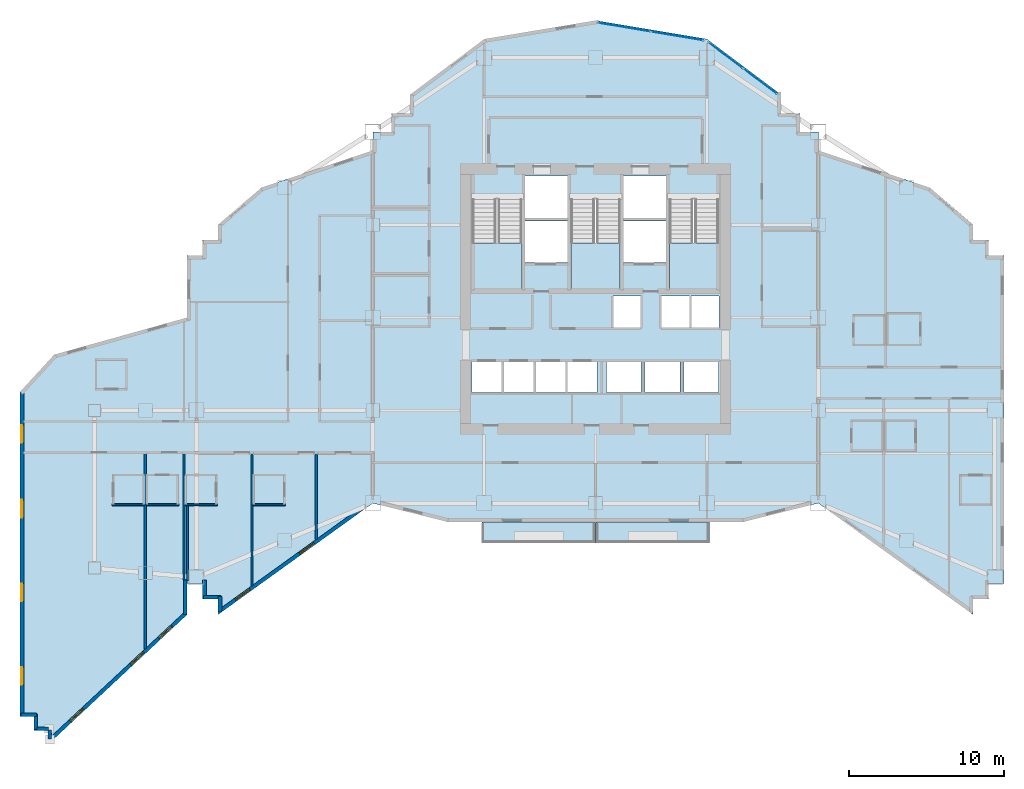
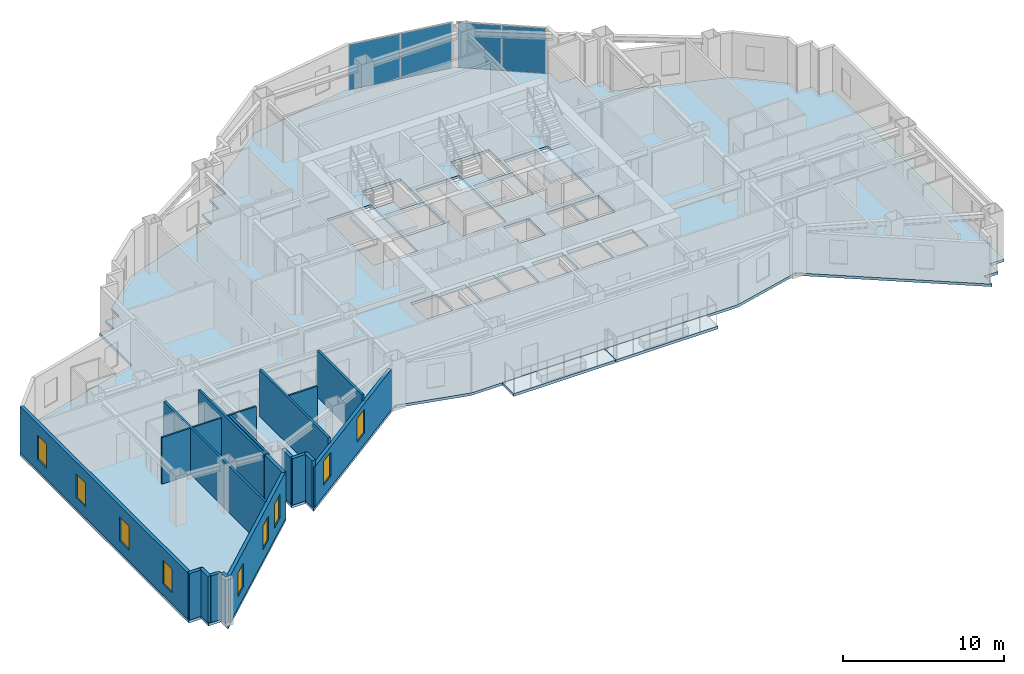
# One storey, part 6 of 14: 20 walls, 9 windows, 6 slabs, 4 plates, 9 openings, 5 elements without a shape of their own.
"""IFC4 building model written with IfcOpenShell, lengths in metres."""

from ifc_helpers import new_model, si_unit, direction, frame, frame_2d, origin, origin_2d, place, context, subcontext, project, spatial, polyline, rectangle, outline, extrude, material, layer, layer_set, type_object, element, fill, aggregate, save


model = new_model("IFC4")

# Units and contexts
model_context = context("Model", 3, precision=1e-05, world=origin(), true_north=direction((0.0, 1.0)))
body_context = subcontext(model_context, "Body", "Model", "MODEL_VIEW")
ifc_project = project(units=[si_unit("LENGTHUNIT", "METRE"), si_unit("AREAUNIT", "SQUARE_METRE"), si_unit("VOLUMEUNIT", "CUBIC_METRE"), si_unit("PLANEANGLEUNIT", "RADIAN"), si_unit("MASSUNIT", "GRAM", prefix="KILO")], contexts=[model_context])

# Site, building, storey
site_placement = place(None, origin())
site = spatial("IfcSite", under=ifc_project, at=site_placement, CompositionType="ELEMENT")
building_placement = place(site_placement, origin())
building = spatial("IfcBuilding", under=site, at=building_placement, Name="Haolan Belvedere Tower", CompositionType="ELEMENT")
storey_placement = place(building_placement, frame((0.0, 0.0, 132.60009765625)))
storey = spatial("IfcBuildingStorey", under=building, at=storey_placement, Name="L33", CompositionType="ELEMENT", Elevation=132.60009765625)

# Curtain wall, plates
ifc_material_1 = material(Name="Anodised champagne-silver aluminium 6063-T6 and Low-E glass", Category="aluminium")
ifc_layer_1 = layer(ifc_material_1, 0.155029296875, Name="Anodised champagne-silver aluminium 6063-T6 and Low-E glass")
ifc_layer_set_1 = layer_set([ifc_layer_1], Name="Anodised champagne-silver aluminium 6063-T6 and Low-E glass")
curtain_wall_type = type_object("IfcCurtainWallType", Name="CW-SYS-03", PredefinedType="NOTDEFINED", material=ifc_layer_set_1)
curtain_wall_1_placement = place(storey_placement, origin())
curtain_wall_1 = element("IfcCurtainWall", 1, at=curtain_wall_1_placement, inside=storey, type_object=curtain_wall_type, Name="L33 CW-SYS-03 ribbon curtain wall 26.1", PredefinedType="NOTDEFINED")
ifc_material_2 = material(Name="Double silver Low-E laminated insulating glass", Category="glass")
ifc_layer_2 = layer(ifc_material_2, 0.02392578125, Name="Double silver Low-E laminated insulating glass")
ifc_layer_set_2 = layer_set([ifc_layer_2], Name="Double silver Low-E laminated insulating glass")
plate_type = type_object("IfcPlateType", Name="CW-SYS-03-PNL", PredefinedType="CURTAIN_PANEL", material=ifc_layer_set_2)
plate_1_placement = place(storey_placement, frame((49.0302734375, 48.877197265625, 0.05419921875), z_axis=(0.0, 0.0, 1.0), x_axis=(-0.800004262313, 0.599994316874, 0.0)))
plate_1 = element("IfcPlate", 2, at=plate_1_placement, type_object=plate_type, Name="CW-03 panel 1.1", PredefinedType="CURTAIN_PANEL", context=body_context, shape_type="SweptSolid", body=[
    extrude(rectangle(XDim=2.728271484375, YDim=0.02392578125, at=origin_2d()), origin(), (0.0, 0.0, 1.0), 3.431884765625),
])
plate_2_placement = place(storey_placement, frame((46.80126953125, 50.549072265625, 0.05419921875), z_axis=(0.0, 0.0, 1.0), x_axis=(-0.800004262313, 0.599994316874, 0.0)))
plate_2 = element("IfcPlate", 3, at=plate_2_placement, type_object=plate_type, Name="CW-03 panel 2.1", PredefinedType="CURTAIN_PANEL", context=body_context, shape_type="SweptSolid", body=[
    extrude(rectangle(XDim=2.728271484375, YDim=0.02392578125, at=origin_2d()), origin(), (0.0, 0.0, 1.0), 3.431884765625),
])
aggregate(curtain_wall_1, [plate_1, plate_2])

curtain_wall_2_placement = place(storey_placement, origin())
curtain_wall_2 = element("IfcCurtainWall", 4, at=curtain_wall_2_placement, inside=storey, type_object=curtain_wall_type, Name="L33 CW-SYS-03 ribbon curtain wall 27.1", PredefinedType="NOTDEFINED")
plate_3_placement = place(storey_placement, frame((43.68017578125, 51.79833984375, 0.05419921875), z_axis=(0.0, 0.0, 1.0), x_axis=(-0.9863931483, 0.16440364043, 0.0)))
plate_3 = element("IfcPlate", 5, at=plate_3_placement, type_object=plate_type, Name="CW-03 panel 1.1", PredefinedType="CURTAIN_PANEL", context=body_context, shape_type="SweptSolid", body=[
    extrude(rectangle(XDim=3.39794921875, YDim=0.02392578125, at=origin_2d()), origin(), (0.0, 0.0, 1.0), 3.431884765625),
])
plate_4_placement = place(storey_placement, frame((40.271240234375, 52.366455078125, 0.05419921875), z_axis=(0.0, 0.0, 1.0), x_axis=(-0.9863931483, 0.16440364043, 0.0)))
plate_4 = element("IfcPlate", 6, at=plate_4_placement, type_object=plate_type, Name="CW-03 panel 2.1", PredefinedType="CURTAIN_PANEL", context=body_context, shape_type="SweptSolid", body=[
    extrude(rectangle(XDim=3.39794921875, YDim=0.02392578125, at=origin_2d()), origin(), (0.0, 0.0, 1.0), 3.431884765625),
])
aggregate(curtain_wall_2, [plate_3, plate_4])

# Slabs
ifc_material_3 = material(Name="Concrete C40/50", Category="concrete")
ifc_layer_3 = layer(ifc_material_3, 0.2099609375, Name="Concrete C40/50")
ifc_layer_set_3 = layer_set([ifc_layer_3], Name="Concrete C40/50")
slab_type_1 = type_object("IfcSlabType", Name="SL-BAL-210", PredefinedType="FLOOR", material=ifc_layer_set_3)
slab_1_placement = place(storey_placement, frame((0.0, 0.0, -0.22998046875)))
element("IfcSlab", 7, at=slab_1_placement, inside=storey, type_object=slab_type_1, Name="L33 structural tree-planter balcony slab BAL-L33-S1", PredefinedType="FLOOR", context=body_context, shape_type="SweptSolid", body=[
    extrude(outline(polyline([(31.050048828125, 19.02001953125), (38.3798828125, 19.02001953125), (38.3798828125, 20.39990234375), (31.050048828125, 20.39990234375), (31.050048828125, 19.02001953125)])), origin(), (0.0, 0.0, 1.0), 0.2099609375),
])
slab_2_placement = place(storey_placement, frame((0.0, 0.0, -0.22998046875)))
element("IfcSlab", 8, at=slab_2_placement, inside=storey, type_object=slab_type_1, Name="L33 structural tree-planter balcony slab BAL-L33-S2", PredefinedType="FLOOR", context=body_context, shape_type="SweptSolid", body=[
    extrude(outline(polyline([(38.419921875, 19.02001953125), (45.75, 19.02001953125), (45.75, 20.39990234375), (38.419921875, 20.39990234375), (38.419921875, 19.02001953125)])), origin(), (0.0, 0.0, 1.0), 0.2099609375),
])
ifc_layer_4 = layer(ifc_material_3, 0.199951171875, Name="Concrete C40/50")
ifc_layer_set_4 = layer_set([ifc_layer_4], Name="Concrete C40/50")
slab_type_2 = type_object("IfcSlabType", Name="SL-FLR-200", PredefinedType="FLOOR", material=ifc_layer_set_4)
slab_3_placement = place(storey_placement, frame((0.0, 0.0, -0.2001953125)))
element("IfcSlab", 9, at=slab_3_placement, inside=storey, type_object=slab_type_2, Name="L33 structural floor slab", PredefinedType="FLOOR", context=body_context, shape_type="SweptSolid", body=[
    extrude(outline(polyline([(12.0, 14.39990234375), (12.0, 16.39990234375), (13.0, 16.39990234375), (13.0, 15.39990234375), (14.0, 15.39990234375), (14.0, 14.39990234375), (24.0, 21.60009765625), (28.800048828125, 20.39990234375), (48.0, 20.39990234375), (52.800048828125, 21.60009765625), (62.800048828125, 14.39990234375), (62.800048828125, 15.39990234375), (63.800048828125, 15.39990234375), (63.800048828125, 16.39990234375), (64.800048828125, 16.39990234375), (64.800048828125, 37.60009765625), (63.800048828125, 37.60009765625), (63.800048828125, 38.60009765625), (62.800048828125, 38.60009765625), (62.800048828125, 39.60009765625), (60.0, 42.0), (52.800048828125, 44.39990234375), (52.800048828125, 45.60009765625), (51.60009765625, 45.60009765625), (51.60009765625, 46.800048828125), (50.39990234375, 46.800048828125), (50.39990234375, 48.0), (45.60009765625, 51.60009765625), (38.39990234375, 52.800048828125), (31.199951171875, 51.60009765625), (26.39990234375, 48.0), (26.39990234375, 46.800048828125), (25.199951171875, 46.800048828125), (25.199951171875, 45.60009765625), (24.0, 45.60009765625), (24.0, 44.39990234375), (16.800048828125, 42.0), (14.0, 39.60009765625), (14.0, 38.60009765625), (13.0, 38.60009765625), (13.0, 37.60009765625), (12.0, 37.60009765625), (12.0, 33.60009765625), (3.39990234375, 31.199951171875), (1.199951171875, 28.800048828125), (1.199951171875, 8.39990234375), (1.199951171875, 7.800048828125), (2.10009765625, 7.800048828125), (2.10009765625, 6.89990234375), (3.0, 6.89990234375), (3.0, 6.0), (12.0, 14.39990234375)]), holes=[polyline([(30.449951171875, 41.22998046875), (30.449951171875, 35.449951171875), (33.6298828125, 35.449951171875), (33.6298828125, 41.22998046875), (30.449951171875, 41.22998046875)]), polyline([(36.81005859375, 41.22998046875), (36.81005859375, 35.449951171875), (39.989990234375, 35.449951171875), (39.989990234375, 41.22998046875), (36.81005859375, 41.22998046875)]), polyline([(43.169921875, 41.22998046875), (43.169921875, 35.449951171875), (46.35009765625, 35.449951171875), (46.35009765625, 41.22998046875), (43.169921875, 41.22998046875)]), polyline([(33.830078125, 40.050048828125), (36.610107421875, 40.050048828125), (36.610107421875, 42.75), (33.830078125, 42.75), (33.830078125, 40.050048828125)]), polyline([(33.830078125, 37.14990234375), (36.610107421875, 37.14990234375), (36.610107421875, 39.85009765625), (33.830078125, 39.85009765625), (33.830078125, 37.14990234375)]), polyline([(40.18994140625, 40.050048828125), (42.969970703125, 40.050048828125), (42.969970703125, 42.75), (40.18994140625, 42.75), (40.18994140625, 40.050048828125)]), polyline([(40.18994140625, 37.14990234375), (42.969970703125, 37.14990234375), (42.969970703125, 39.85009765625), (40.18994140625, 39.85009765625), (40.18994140625, 37.14990234375)]), polyline([(39.5400390625, 32.949951171875), (41.389892578125, 32.949951171875), (41.389892578125, 35.0), (39.5400390625, 35.0), (39.5400390625, 32.949951171875)]), polyline([(42.6201171875, 32.949951171875), (44.469970703125, 32.949951171875), (44.469970703125, 35.0), (42.6201171875, 35.0), (42.6201171875, 32.949951171875)]), polyline([(44.580078125, 32.949951171875), (46.3798828125, 32.949951171875), (46.3798828125, 35.0), (44.580078125, 35.0), (44.580078125, 32.949951171875)]), polyline([(30.419921875, 28.75), (32.320068359375, 28.75), (32.320068359375, 30.75), (30.419921875, 30.75), (30.419921875, 28.75)]), polyline([(32.47998046875, 28.75), (34.3798828125, 28.75), (34.3798828125, 30.75), (32.47998046875, 30.75), (32.47998046875, 28.75)]), polyline([(34.5400390625, 28.75), (36.43994140625, 28.75), (36.43994140625, 30.75), (34.5400390625, 30.75), (34.5400390625, 28.75)]), polyline([(36.60009765625, 28.75), (38.5, 28.75), (38.5, 30.75), (36.60009765625, 30.75), (36.60009765625, 28.75)]), polyline([(39.10009765625, 28.75), (41.340087890625, 28.75), (41.340087890625, 30.75), (39.10009765625, 30.75), (39.10009765625, 28.75)]), polyline([(41.610107421875, 28.75), (43.85009765625, 28.75), (43.85009765625, 30.75), (41.610107421875, 30.75), (41.610107421875, 28.75)]), polyline([(44.1201171875, 28.75), (46.360107421875, 28.75), (46.360107421875, 30.75), (44.1201171875, 30.75), (44.1201171875, 28.75)])]), origin(), (0.0, 0.0, 1.0), 0.2001953125),
])

# Stair, slab
stair_type = type_object("IfcStairType", Name="STR-DL-22R-173", PredefinedType="HALF_TURN_STAIR", material=ifc_material_3)
stair_1_placement = place(storey_placement, origin())
stair_1 = element("IfcStair", 10, at=stair_1_placement, inside=storey, type_object=stair_type, Name="L33 Smokeproof Core Exit Stair ST1", PredefinedType="HALF_TURN_STAIR")
ifc_layer_5 = layer(ifc_material_3, 0.199951171875, Name="Concrete C40/50")
ifc_layer_set_5 = layer_set([ifc_layer_5], Name="Concrete C40/50")
slab_type_3 = type_object("IfcSlabType", Name="SL-LAND-200", PredefinedType="LANDING", material=ifc_layer_set_5)
slab_4_placement = place(storey_placement, frame((0.0, 0.0, 1.699951171875)))
slab_4 = element("IfcSlab", 11, at=slab_4_placement, type_object=slab_type_3, Name="ST1 landing 1", PredefinedType="LANDING", context=body_context, shape_type="SweptSolid", body=[
    extrude(outline(polyline([(30.449951171875, 38.429931640625), (30.449951171875, 35.449951171875), (33.6298828125, 35.449951171875), (33.6298828125, 38.429931640625), (30.449951171875, 38.429931640625)])), origin(), (0.0, 0.0, 1.0), 0.199951171875),
])
aggregate(stair_1, [slab_4])

stair_2_placement = place(storey_placement, origin())
stair_2 = element("IfcStair", 12, at=stair_2_placement, inside=storey, type_object=stair_type, Name="L33 Smokeproof Core Exit Stair ST3", PredefinedType="HALF_TURN_STAIR")
slab_5_placement = place(storey_placement, frame((0.0, 0.0, 1.699951171875)))
slab_5 = element("IfcSlab", 13, at=slab_5_placement, type_object=slab_type_3, Name="ST3 landing 1", PredefinedType="LANDING", context=body_context, shape_type="SweptSolid", body=[
    extrude(outline(polyline([(36.81005859375, 38.429931640625), (36.81005859375, 35.449951171875), (39.989990234375, 35.449951171875), (39.989990234375, 38.429931640625), (36.81005859375, 38.429931640625)])), origin(), (0.0, 0.0, 1.0), 0.199951171875),
])
aggregate(stair_2, [slab_5])

stair_3_placement = place(storey_placement, origin())
stair_3 = element("IfcStair", 14, at=stair_3_placement, inside=storey, type_object=stair_type, Name="L33 Smokeproof Core Exit Stair ST2", PredefinedType="HALF_TURN_STAIR")
slab_6_placement = place(storey_placement, frame((0.0, 0.0, 1.699951171875)))
slab_6 = element("IfcSlab", 15, at=slab_6_placement, type_object=slab_type_3, Name="ST2 landing 1", PredefinedType="LANDING", context=body_context, shape_type="SweptSolid", body=[
    extrude(outline(polyline([(43.169921875, 38.429931640625), (43.169921875, 35.449951171875), (46.35009765625, 35.449951171875), (46.35009765625, 38.429931640625), (43.169921875, 38.429931640625)])), origin(), (0.0, 0.0, 1.0), 0.199951171875),
])
aggregate(stair_3, [slab_6])

# Walls
ifc_material_4 = material(Name="Precast concrete C40/50", Category="concrete")
ifc_layer_6 = layer(ifc_material_4, 0.239990234375, Name="Precast concrete C40/50")
ifc_layer_set_6 = layer_set([ifc_layer_6], Name="Precast concrete C40/50")
wall_type_1 = type_object("IfcWallType", Name="WL-EXT-240", PredefinedType="SOLIDWALL", material=ifc_layer_set_6)
wall_1_placement = place(storey_placement, frame((13.1201171875, 16.639892578125, 0.0), z_axis=(0.0, 0.0, 1.0), x_axis=(0.0, -1.0, 0.0)))
element("IfcWall", 16, at=wall_1_placement, inside=storey, type_object=wall_type_1, Name="L33 pale-metal exterior spandrel wall 2.1", PredefinedType="SOLIDWALL", context=body_context, shape_type="SweptSolid", body=[
    extrude(rectangle(XDim=1.1748046875, YDim=0.239990234375, at=frame_2d((0.58740234375, 0.0))), origin(), (0.0, 0.0, 1.0), 3.539794921875),
])
wall_2_placement = place(storey_placement, frame((13.06494140625, 15.52001953125, 0.0), z_axis=(0.0, 0.0, 1.0), x_axis=(1.0, 0.0, 0.0)))
element("IfcWall", 17, at=wall_2_placement, inside=storey, type_object=wall_type_1, Name="L33 pale-metal exterior spandrel wall 3.1", PredefinedType="SOLIDWALL", context=body_context, shape_type="SweptSolid", body=[
    extrude(rectangle(XDim=1.110107421875, YDim=0.239990234375, at=frame_2d((0.55517578125, 0.0))), origin(), (0.0, 0.0, 1.0), 3.539794921875),
])
wall_3_placement = place(storey_placement, frame((14.1201171875, 15.574951171875, 0.0), z_axis=(0.0, 0.0, 1.0), x_axis=(0.0, -1.0, 0.0)))
element("IfcWall", 18, at=wall_3_placement, inside=storey, type_object=wall_type_1, Name="L33 pale-metal exterior spandrel wall 4.1", PredefinedType="SOLIDWALL", context=body_context, shape_type="SweptSolid", body=[
    extrude(rectangle(XDim=0.99560546875, YDim=0.239990234375, at=frame_2d((0.497802734375, 0.0))), origin(), (0.0, 0.0, 1.0), 3.539794921875),
])

# Wall, openings, windows
wall_4_placement = place(storey_placement, frame((14.075439453125, 14.602294921875, 0.0), z_axis=(0.0, 0.0, 1.0), x_axis=(0.811543504691, 0.584291998913, 0.0)))
wall_4 = element("IfcWall", 19, at=wall_4_placement, inside=storey, type_object=wall_type_1, Name="L33 pale-metal exterior spandrel wall 5.1", PredefinedType="SOLIDWALL", context=body_context, shape_type="SweptSolid", body=[
    extrude(rectangle(XDim=11.623046875, YDim=0.239990234375, at=frame_2d((5.8115234375, 0.0))), origin(), (0.0, 0.0, 1.0), 3.0849609375),
])
opening_1_placement = place(wall_4_placement, frame((1.29638671875, 0.0, 0.85009765625)))
opening_1 = element("IfcOpeningElement", 20, at=opening_1_placement, cuts=wall_4, Name="Opening W-02", PredefinedType="OPENING", context=body_context, shape_type="SweptSolid", body=[
    extrude(rectangle(XDim=1.14990234375, YDim=1.800048828125, at=frame_2d((0.574951171875, 0.89990234375))), frame((0.0, 0.1298828125, 0.0), z_axis=(0.0, -1.0, 0.0), x_axis=(1.0, 0.0, 0.0)), (0.0, 0.0, 1.0), 0.260009765625),
])
opening_2_placement = place(wall_4_placement, frame((6.409912109375, 0.0, 0.85009765625)))
opening_2 = element("IfcOpeningElement", 21, at=opening_2_placement, cuts=wall_4, Name="Opening W-02", PredefinedType="OPENING", context=body_context, shape_type="SweptSolid", body=[
    extrude(rectangle(XDim=1.14990234375, YDim=1.800048828125, at=frame_2d((0.574951171875, 0.89990234375))), frame((0.0, 0.1298828125, 0.0), z_axis=(0.0, -1.0, 0.0), x_axis=(1.0, 0.0, 0.0)), (0.0, 0.0, 1.0), 0.260009765625),
])
ifc_material_5 = material(Name="Anodised aluminium 6063-T6 and Low-E glass", Category="aluminium")
window_type = type_object("IfcWindowType", Name="WN-DECO-Z2", PartitioningType="SINGLE_PANEL", PredefinedType="WINDOW", material=ifc_material_5)
window_1_placement = place(opening_1_placement, origin())
window_1 = element("IfcWindow", 22, at=window_1_placement, inside=storey, type_object=window_type, Name="L33 Art Deco chevron window 1", OverallHeight=1.800048828125, OverallWidth=1.14990234375, PartitioningType="SINGLE_PANEL", PredefinedType="WINDOW", context=body_context, shape_type="SweptSolid", body=[
    extrude(rectangle(XDim=1.14990234375, YDim=1.800048828125, at=frame_2d((0.574951171875, 0.89990234375))), frame((0.0, 0.030029296875, 0.0), z_axis=(0.0, -1.0, 0.0), x_axis=(1.0, 0.0, 0.0)), (0.0, 0.0, 1.0), 0.06005859375),
])
fill(opening_1, window_1)
window_2_placement = place(opening_2_placement, origin())
window_2 = element("IfcWindow", 23, at=window_2_placement, inside=storey, type_object=window_type, Name="L33 Art Deco chevron window 2", OverallHeight=1.800048828125, OverallWidth=1.14990234375, PartitioningType="SINGLE_PANEL", PredefinedType="WINDOW", context=body_context, shape_type="SweptSolid", body=[
    extrude(rectangle(XDim=1.14990234375, YDim=1.800048828125, at=frame_2d((0.574951171875, 0.89990234375))), frame((0.0, 0.030029296875, 0.0), z_axis=(0.0, -1.0, 0.0), x_axis=(1.0, 0.0, 0.0)), (0.0, 0.0, 1.0), 0.06005859375),
])
fill(opening_2, window_2)

wall_5_placement = place(storey_placement, frame((1.320068359375, 28.808349609375, 0.0), z_axis=(0.0, 0.0, 1.0), x_axis=(0.0, -1.0, 0.0)))
wall_5 = element("IfcWall", 24, at=wall_5_placement, inside=storey, type_object=wall_type_1, Name="L33 pale-metal exterior spandrel wall 44.1", PredefinedType="SOLIDWALL", context=body_context, shape_type="SweptSolid", body=[
    extrude(rectangle(XDim=20.943359375, YDim=0.239990234375, at=frame_2d((10.4716796875, 0.0))), origin(), (0.0, 0.0, 1.0), 3.539794921875),
])
opening_3_placement = place(wall_5_placement, frame((2.163330078125, 0.0, 0.85009765625)))
opening_3 = element("IfcOpeningElement", 25, at=opening_3_placement, cuts=wall_5, Name="Opening W-02", PredefinedType="OPENING", context=body_context, shape_type="SweptSolid", body=[
    extrude(rectangle(XDim=1.14990234375, YDim=1.800048828125, at=frame_2d((0.574951171875, 0.89990234375))), frame((0.0, 0.1298828125, 0.0), z_axis=(0.0, -1.0, 0.0), x_axis=(1.0, 0.0, 0.0)), (0.0, 0.0, 1.0), 0.260009765625),
])
opening_4_placement = place(wall_5_placement, frame((7.0, 0.0, 0.85009765625)))
opening_4 = element("IfcOpeningElement", 26, at=opening_4_placement, cuts=wall_5, Name="Opening W-02", PredefinedType="OPENING", context=body_context, shape_type="SweptSolid", body=[
    extrude(rectangle(XDim=1.14990234375, YDim=1.800048828125, at=frame_2d((0.574951171875, 0.89990234375))), frame((0.0, 0.1298828125, 0.0), z_axis=(0.0, -1.0, 0.0), x_axis=(1.0, 0.0, 0.0)), (0.0, 0.0, 1.0), 0.260009765625),
])
opening_5_placement = place(wall_5_placement, frame((12.39990234375, 0.0, 0.85009765625)))
opening_5 = element("IfcOpeningElement", 27, at=opening_5_placement, cuts=wall_5, Name="Opening W-02", PredefinedType="OPENING", context=body_context, shape_type="SweptSolid", body=[
    extrude(rectangle(XDim=1.14990234375, YDim=1.800048828125, at=frame_2d((0.574951171875, 0.89990234375))), frame((0.0, 0.1298828125, 0.0), z_axis=(0.0, -1.0, 0.0), x_axis=(1.0, 0.0, 0.0)), (0.0, 0.0, 1.0), 0.260009765625),
])
opening_6_placement = place(wall_5_placement, frame((17.800048828125, 0.0, 0.85009765625)))
opening_6 = element("IfcOpeningElement", 28, at=opening_6_placement, cuts=wall_5, Name="Opening W-02", PredefinedType="OPENING", context=body_context, shape_type="SweptSolid", body=[
    extrude(rectangle(XDim=1.14990234375, YDim=1.800048828125, at=frame_2d((0.574951171875, 0.89990234375))), frame((0.0, 0.1298828125, 0.0), z_axis=(0.0, -1.0, 0.0), x_axis=(1.0, 0.0, 0.0)), (0.0, 0.0, 1.0), 0.260009765625),
])
window_3_placement = place(opening_3_placement, origin())
window_3 = element("IfcWindow", 29, at=window_3_placement, inside=storey, type_object=window_type, Name="L33 Art Deco chevron window 1", OverallHeight=1.800048828125, OverallWidth=1.14990234375, PartitioningType="SINGLE_PANEL", PredefinedType="WINDOW", context=body_context, shape_type="SweptSolid", body=[
    extrude(rectangle(XDim=1.14990234375, YDim=1.800048828125, at=frame_2d((0.574951171875, 0.89990234375))), frame((0.0, 0.030029296875, 0.0), z_axis=(0.0, -1.0, 0.0), x_axis=(1.0, 0.0, 0.0)), (0.0, 0.0, 1.0), 0.06005859375),
])
fill(opening_3, window_3)
window_4_placement = place(opening_4_placement, origin())
window_4 = element("IfcWindow", 30, at=window_4_placement, inside=storey, type_object=window_type, Name="L33 Art Deco chevron window 2", OverallHeight=1.800048828125, OverallWidth=1.14990234375, PartitioningType="SINGLE_PANEL", PredefinedType="WINDOW", context=body_context, shape_type="SweptSolid", body=[
    extrude(rectangle(XDim=1.14990234375, YDim=1.800048828125, at=frame_2d((0.574951171875, 0.89990234375))), frame((0.0, 0.030029296875, 0.0), z_axis=(0.0, -1.0, 0.0), x_axis=(1.0, 0.0, 0.0)), (0.0, 0.0, 1.0), 0.06005859375),
])
fill(opening_4, window_4)
window_5_placement = place(opening_5_placement, origin())
window_5 = element("IfcWindow", 31, at=window_5_placement, inside=storey, type_object=window_type, Name="L33 Art Deco chevron window 3", OverallHeight=1.800048828125, OverallWidth=1.14990234375, PartitioningType="SINGLE_PANEL", PredefinedType="WINDOW", context=body_context, shape_type="SweptSolid", body=[
    extrude(rectangle(XDim=1.14990234375, YDim=1.800048828125, at=frame_2d((0.574951171875, 0.89990234375))), frame((0.0, 0.030029296875, 0.0), z_axis=(0.0, -1.0, 0.0), x_axis=(1.0, 0.0, 0.0)), (0.0, 0.0, 1.0), 0.06005859375),
])
fill(opening_5, window_5)
window_6_placement = place(opening_6_placement, origin())
window_6 = element("IfcWindow", 32, at=window_6_placement, inside=storey, type_object=window_type, Name="L33 Art Deco chevron window 4", OverallHeight=1.800048828125, OverallWidth=1.14990234375, PartitioningType="SINGLE_PANEL", PredefinedType="WINDOW", context=body_context, shape_type="SweptSolid", body=[
    extrude(rectangle(XDim=1.14990234375, YDim=1.800048828125, at=frame_2d((0.574951171875, 0.89990234375))), frame((0.0, 0.030029296875, 0.0), z_axis=(0.0, -1.0, 0.0), x_axis=(1.0, 0.0, 0.0)), (0.0, 0.0, 1.0), 0.06005859375),
])
fill(opening_6, window_6)

# Walls
for number, where, z_axis, x_axis, name in (
    (33, (1.264892578125, 7.919921875, 0.0), (0.0, 0.0, 1.0), (1.0, 0.0, 0.0), "L33 pale-metal exterior spandrel wall 45.1"),
    (34, (2.219970703125, 7.97509765625, 0.0), (0.0, 0.0, 1.0), (0.0, -1.0, 0.0), "L33 pale-metal exterior spandrel wall 46.1"),
):
    element("IfcWall", number, at=place(storey_placement, frame(where, z_axis=z_axis, x_axis=x_axis)), inside=storey, type_object=wall_type_1, Name=name, PredefinedType="SOLIDWALL", context=body_context, shape_type="SweptSolid", body=[
        extrude(rectangle(XDim=1.010009765625, YDim=0.239990234375, at=frame_2d((0.5048828125, 0.0))), origin(), (0.0, 0.0, 1.0), 3.539794921875),
    ])
wall_6_placement = place(storey_placement, frame((2.300048828125, 7.02001953125, 0.0), z_axis=(0.0, 0.0, 1.0), x_axis=(1.0, 0.0, 0.0)))
element("IfcWall", 35, at=wall_6_placement, inside=storey, type_object=wall_type_1, Name="L33 pale-metal exterior spandrel wall 47.1", PredefinedType="SOLIDWALL", context=body_context, shape_type="SweptSolid", body=[
    extrude(rectangle(XDim=0.73486328125, YDim=0.239990234375, at=frame_2d((0.367431640625, 0.0))), origin(), (0.0, 0.0, 1.0), 3.539794921875),
])
wall_7_placement = place(storey_placement, frame((3.1201171875, 6.93505859375, 0.0), z_axis=(0.0, 0.0, 1.0), x_axis=(0.0, -1.0, 0.0)))
element("IfcWall", 36, at=wall_7_placement, inside=storey, type_object=wall_type_1, Name="L33 pale-metal exterior spandrel wall 48.1", PredefinedType="SOLIDWALL", context=body_context, shape_type="SweptSolid", body=[
    extrude(rectangle(XDim=0.573974609375, YDim=0.239990234375, at=frame_2d((0.287109375, 0.0))), origin(), (0.0, 0.0, 1.0), 3.539794921875),
])

# Wall, openings, windows
wall_8_placement = place(storey_placement, frame((3.269775390625, 6.416015625, 0.0), z_axis=(0.0, 0.0, 1.0), x_axis=(0.731064187858, 0.682308693505, 0.0)))
wall_8 = element("IfcWall", 37, at=wall_8_placement, inside=storey, type_object=wall_type_1, Name="L33 pale-metal exterior spandrel wall 49.1", PredefinedType="SOLIDWALL", context=body_context, shape_type="SweptSolid", body=[
    extrude(rectangle(XDim=11.83251953125, YDim=0.239990234375, at=frame_2d((5.916259765625, 0.0))), origin(), (0.0, 0.0, 1.0), 3.539794921875),
])
opening_7_placement = place(wall_8_placement, frame((1.60009765625, 0.0, 0.85009765625)))
opening_7 = element("IfcOpeningElement", 38, at=opening_7_placement, cuts=wall_8, Name="Opening W-02", PredefinedType="OPENING", context=body_context, shape_type="SweptSolid", body=[
    extrude(rectangle(XDim=1.14990234375, YDim=1.800048828125, at=frame_2d((0.574951171875, 0.89990234375))), frame((0.0, 0.1298828125, 0.0), z_axis=(0.0, -1.0, 0.0), x_axis=(1.0, 0.0, 0.0)), (0.0, 0.0, 1.0), 0.260009765625),
])
opening_8_placement = place(wall_8_placement, frame((6.96142578125, 0.0, 0.85009765625)))
opening_8 = element("IfcOpeningElement", 39, at=opening_8_placement, cuts=wall_8, Name="Opening W-02", PredefinedType="OPENING", context=body_context, shape_type="SweptSolid", body=[
    extrude(rectangle(XDim=1.14990234375, YDim=1.800048828125, at=frame_2d((0.574951171875, 0.89990234375))), frame((0.0, 0.1298828125, 0.0), z_axis=(0.0, -1.0, 0.0), x_axis=(1.0, 0.0, 0.0)), (0.0, 0.0, 1.0), 0.260009765625),
])
opening_9_placement = place(wall_8_placement, frame((9.44580078125, 0.0, 0.85009765625)))
opening_9 = element("IfcOpeningElement", 40, at=opening_9_placement, cuts=wall_8, Name="Opening W-02", PredefinedType="OPENING", context=body_context, shape_type="SweptSolid", body=[
    extrude(rectangle(XDim=1.14990234375, YDim=1.800048828125, at=frame_2d((0.574951171875, 0.89990234375))), frame((0.0, 0.1298828125, 0.0), z_axis=(0.0, -1.0, 0.0), x_axis=(1.0, 0.0, 0.0)), (0.0, 0.0, 1.0), 0.260009765625),
])
window_7_placement = place(opening_7_placement, origin())
window_7 = element("IfcWindow", 41, at=window_7_placement, inside=storey, type_object=window_type, Name="L33 Art Deco chevron window 1", OverallHeight=1.800048828125, OverallWidth=1.14990234375, PartitioningType="SINGLE_PANEL", PredefinedType="WINDOW", context=body_context, shape_type="SweptSolid", body=[
    extrude(rectangle(XDim=1.14990234375, YDim=1.800048828125, at=frame_2d((0.574951171875, 0.89990234375))), frame((0.0, 0.030029296875, 0.0), z_axis=(0.0, -1.0, 0.0), x_axis=(1.0, 0.0, 0.0)), (0.0, 0.0, 1.0), 0.06005859375),
])
fill(opening_7, window_7)
window_8_placement = place(opening_8_placement, origin())
window_8 = element("IfcWindow", 42, at=window_8_placement, inside=storey, type_object=window_type, Name="L33 Art Deco chevron window 2", OverallHeight=1.800048828125, OverallWidth=1.14990234375, PartitioningType="SINGLE_PANEL", PredefinedType="WINDOW", context=body_context, shape_type="SweptSolid", body=[
    extrude(rectangle(XDim=1.14990234375, YDim=1.800048828125, at=frame_2d((0.574951171875, 0.89990234375))), frame((0.0, 0.030029296875, 0.0), z_axis=(0.0, -1.0, 0.0), x_axis=(1.0, 0.0, 0.0)), (0.0, 0.0, 1.0), 0.06005859375),
])
fill(opening_8, window_8)
window_9_placement = place(opening_9_placement, origin())
window_9 = element("IfcWindow", 43, at=window_9_placement, inside=storey, type_object=window_type, Name="L33 Art Deco guestroom window 1", OverallHeight=1.800048828125, OverallWidth=1.14990234375, PartitioningType="SINGLE_PANEL", PredefinedType="WINDOW", context=body_context, shape_type="SweptSolid", body=[
    extrude(rectangle(XDim=1.14990234375, YDim=1.800048828125, at=frame_2d((0.574951171875, 0.89990234375))), frame((0.0, 0.030029296875, 0.0), z_axis=(0.0, -1.0, 0.0), x_axis=(1.0, 0.0, 0.0)), (0.0, 0.0, 1.0), 0.06005859375),
])
fill(opening_9, window_9)

# Walls
wall_9_placement = place(storey_placement, frame((11.8798828125, 14.397216796875, 0.0), z_axis=(0.0, 0.0, 1.0), x_axis=(0.0, 1.0, 0.0)))
element("IfcWall", 44, at=wall_9_placement, inside=storey, type_object=wall_type_1, Name="L33 pale-metal exterior spandrel wall 50.1", PredefinedType="SOLIDWALL", context=body_context, shape_type="SweptSolid", body=[
    extrude(rectangle(XDim=2.24267578125, YDim=0.239990234375, at=frame_2d((1.121337890625, 0.0))), origin(), (0.0, 0.0, 1.0), 3.539794921875),
])
ifc_material_6 = material(Name="Double gypsum acoustic stud partition", Category="masonry")
ifc_layer_7 = layer(ifc_material_6, 0.14990234375, Name="Double gypsum acoustic stud partition")
ifc_layer_set_7 = layer_set([ifc_layer_7], Name="Double gypsum acoustic stud partition")
wall_type_2 = type_object("IfcWallType", Name="WL-PART-150", PredefinedType="PARTITIONING", material=ifc_layer_set_7)
wall_10_placement = place(storey_placement, frame((11.800048828125, 16.64208984375, 0.0), z_axis=(0.0, 0.0, 1.0), x_axis=(0.0, 1.0, 0.0)))
element("IfcWall", 45, at=wall_10_placement, inside=storey, type_object=wall_type_2, Name="L33 interior partition IW-L33-T2S1-W", PredefinedType="PARTITIONING", context=body_context, shape_type="SweptSolid", body=[
    extrude(rectangle(XDim=8.16796875, YDim=0.14990234375, at=frame_2d((4.083984375, 0.0))), origin(), (0.0, 0.0, 1.0), 3.539794921875),
])
wall_11_placement = place(storey_placement, frame((16.18994140625, 16.254150390625, 0.0), z_axis=(0.0, 0.0, 1.0), x_axis=(0.0, 1.0, 0.0)))
element("IfcWall", 46, at=wall_11_placement, inside=storey, type_object=wall_type_2, Name="L33 interior partition IW-L33-T2S1-E", PredefinedType="PARTITIONING", context=body_context, shape_type="SweptSolid", body=[
    extrude(rectangle(XDim=8.555908203125, YDim=0.14990234375, at=frame_2d((4.27783203125, 0.0))), origin(), (0.0, 0.0, 1.0), 3.539794921875),
])
wall_12_placement = place(storey_placement, frame((20.340087890625, 19.241943359375, 0.0), z_axis=(0.0, 0.0, 1.0), x_axis=(0.0, 1.0, 0.0)))
element("IfcWall", 47, at=wall_12_placement, inside=storey, type_object=wall_type_2, Name="L33 interior partition IW-L33-T2S2-E", PredefinedType="PARTITIONING", context=body_context, shape_type="SweptSolid", body=[
    extrude(rectangle(XDim=5.568115234375, YDim=0.14990234375, at=frame_2d((2.7841796875, 0.0))), origin(), (0.0, 0.0, 1.0), 3.539794921875),
])
wall_13_placement = place(storey_placement, frame((9.300048828125, 12.187744140625, 0.0), z_axis=(0.0, 0.0, 1.0), x_axis=(0.0, 1.0, 0.0)))
element("IfcWall", 48, at=wall_13_placement, inside=storey, type_object=wall_type_2, Name="L33 interior partition IW-L33-T1S1-E", PredefinedType="PARTITIONING", context=body_context, shape_type="SweptSolid", body=[
    extrude(rectangle(XDim=12.622314453125, YDim=0.14990234375, at=frame_2d((6.31103515625, 0.0))), origin(), (0.0, 0.0, 1.0), 3.539794921875),
])
wall_14_placement = place(storey_placement, frame((12.02001953125, 16.612060546875, 0.0), z_axis=(0.0, 0.0, 1.0), x_axis=(0.0, 1.0, 0.0)))
element("IfcWall", 49, at=wall_14_placement, inside=storey, type_object=wall_type_2, Name="L33 interior partition IW-L33-T1S2-E", PredefinedType="PARTITIONING", context=body_context, shape_type="SweptSolid", body=[
    extrude(rectangle(XDim=4.843017578125, YDim=0.14990234375, at=frame_2d((2.42138671875, 0.0))), origin(), (0.0, 0.0, 1.0), 3.539794921875),
])
ifc_material_7 = material(Name="Moisture-resistant gypsum tile partition", Category="masonry")
ifc_layer_8 = layer(ifc_material_7, 0.1201171875, Name="Moisture-resistant gypsum tile partition")
ifc_layer_set_8 = layer_set([ifc_layer_8], Name="Moisture-resistant gypsum tile partition")
wall_type_3 = type_object("IfcWallType", Name="WL-WET-120", PredefinedType="PARTITIONING", material=ifc_layer_set_8)
wall_15_placement = place(storey_placement, frame((11.860107421875, 21.5, 0.0), z_axis=(0.0, 0.0, 1.0), x_axis=(1.0, 0.0, 0.0)))
element("IfcWall", 50, at=wall_15_placement, inside=storey, type_object=wall_type_3, Name="L33 interior partition IW-L33-T2S1-BS", PredefinedType="PARTITIONING", context=body_context, shape_type="SweptSolid", body=[
    extrude(rectangle(XDim=2.079833984375, YDim=0.1201171875, at=frame_2d((1.0400390625, 0.0))), origin(), (0.0, 0.0, 1.0), 3.539794921875),
])
wall_16_placement = place(storey_placement, frame((16.25, 21.5, 0.0), z_axis=(0.0, 0.0, 1.0), x_axis=(1.0, 0.0, 0.0)))
element("IfcWall", 51, at=wall_16_placement, inside=storey, type_object=wall_type_3, Name="L33 interior partition IW-L33-T2S2-BS", PredefinedType="PARTITIONING", context=body_context, shape_type="SweptSolid", body=[
    extrude(rectangle(XDim=2.094970703125, YDim=0.1201171875, at=frame_2d((1.04736328125, 0.0))), origin(), (0.0, 0.0, 1.0), 3.539794921875),
])
wall_17_placement = place(storey_placement, frame((7.159912109375, 21.5, 0.0), z_axis=(0.0, 0.0, 1.0), x_axis=(1.0, 0.0, 0.0)))
element("IfcWall", 52, at=wall_17_placement, inside=storey, type_object=wall_type_3, Name="L33 interior partition IW-L33-T1S1-BS", PredefinedType="PARTITIONING", context=body_context, shape_type="SweptSolid", body=[
    extrude(rectangle(XDim=2.080078125, YDim=0.1201171875, at=frame_2d((1.0400390625, 0.0))), origin(), (0.0, 0.0, 1.0), 3.539794921875),
])
wall_18_placement = place(storey_placement, frame((9.360107421875, 21.5, 0.0), z_axis=(0.0, 0.0, 1.0), x_axis=(1.0, 0.0, 0.0)))
element("IfcWall", 53, at=wall_18_placement, inside=storey, type_object=wall_type_3, Name="L33 interior partition IW-L33-T1S2-BS", PredefinedType="PARTITIONING", context=body_context, shape_type="SweptSolid", body=[
    extrude(rectangle(XDim=2.079833984375, YDim=0.1201171875, at=frame_2d((1.0400390625, 0.0))), origin(), (0.0, 0.0, 1.0), 3.539794921875),
])

save(model, "model.ifc")
